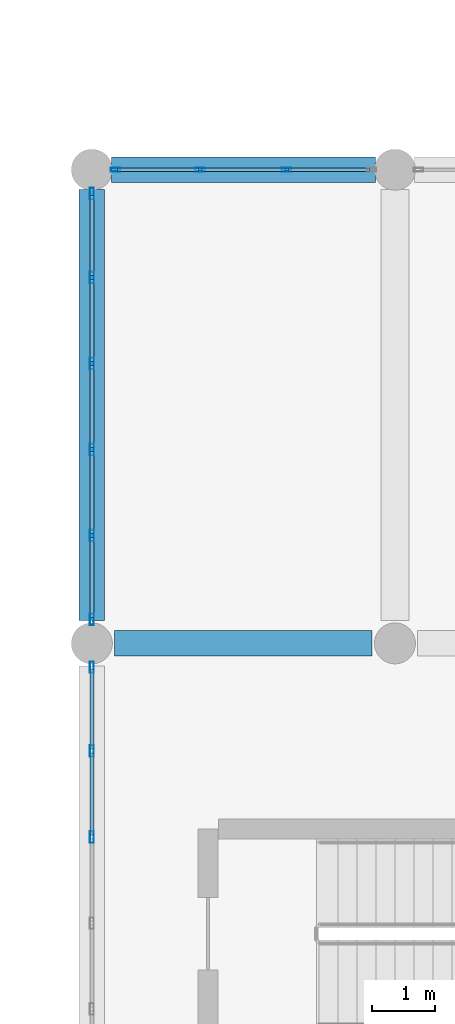
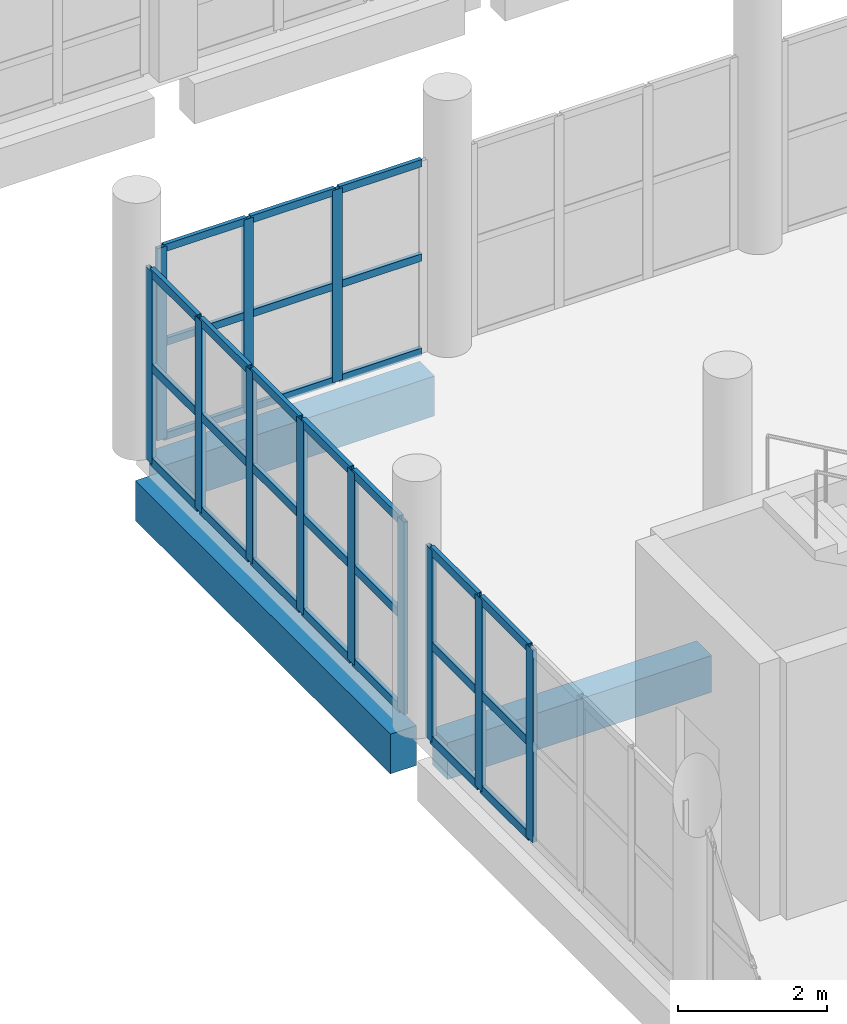
# One storey, part 72 of 164: 42 members, 3 beams, 3 elements without a shape of their own.
"""IFC4 building model written with IfcOpenShell, lengths in metres."""

from ifc_helpers import new_model, si_unit, direction, frame, origin, origin_2d, place, context, subcontext, project, spatial, rectangle, hollow_rectangle, extrude, material, layer, layer_set, material_profile, profile_set, type_object, element, aggregate, save


model = new_model("IFC4")

# Units and contexts
model_context = context("Model", 3, precision=1e-05, world=origin(), true_north=direction((0.0, 1.0)))
body_context = subcontext(model_context, "Body", "Model", "MODEL_VIEW")
ifc_project = project(units=[si_unit("LENGTHUNIT", "METRE"), si_unit("AREAUNIT", "SQUARE_METRE"), si_unit("VOLUMEUNIT", "CUBIC_METRE"), si_unit("PLANEANGLEUNIT", "RADIAN"), si_unit("MASSUNIT", "GRAM", prefix="KILO")], contexts=[model_context])

# Site, building, storey
site_placement = place(None, origin())
site = spatial("IfcSite", under=ifc_project, at=site_placement, CompositionType="ELEMENT")
building_placement = place(site_placement, origin())
building = spatial("IfcBuilding", under=site, at=building_placement, Name="Mawjan Specialist Oncology Clinic", CompositionType="ELEMENT")
storey_placement = place(building_placement, frame((0.0, 0.0, 5.0)))
storey = spatial("IfcBuildingStorey", under=building, at=storey_placement, Name="L01", CompositionType="ELEMENT", Elevation=5.0)

# Beam
ifc_material_1 = material(Name="Concrete C40/50", Category="concrete")
ifc_material_profile_1 = material_profile(ifc_material_1, rectangle(XDim=0.39990234375, YDim=0.60009765625, at=origin_2d()), Name="RC BM 400x600", Category="concrete")
ifc_profile_set_1 = profile_set([ifc_material_profile_1], Name="Concrete C40/50")
beam_type_1 = type_object("IfcBeamType", Name="BM-400x600", PredefinedType="BEAM", material=ifc_profile_set_1)
beam_1_placement = place(storey_placement, frame((60.360107421875, 68.300048828125, -0.60009765625), z_axis=(1.0, 0.0, 0.0), x_axis=(0.0, 1.0, 0.0)))
element("IfcBeam", 1, at=beam_1_placement, inside=storey, type_object=beam_type_1, Name="L01 Collector Beam BM-L01-0309", PredefinedType="BEAM", context=body_context, shape_type="SweptSolid", body=[
    extrude(rectangle(XDim=0.39990234375, YDim=0.60009765625, at=origin_2d()), origin(), (0.0, 0.0, 1.0), 4.079833984375),
])

# Curtain wall, members
ifc_material_2 = material(Name="Unitised spectrally selective aluminium curtain wall", Category="aluminium")
ifc_layer_1 = layer(ifc_material_2, 0.179931640625, Name="Unitised spectrally selective aluminium curtain wall", Category="aluminium")
ifc_layer_set_1 = layer_set([ifc_layer_1], Name="Unitised spectrally selective aluminium curtain wall")
curtain_wall_type_1 = type_object("IfcCurtainWallType", Name="CW-56", PredefinedType="NOTDEFINED", material=ifc_layer_set_1)
curtain_wall_1_placement = place(storey_placement, origin())
curtain_wall_1 = element("IfcCurtainWall", 2, at=curtain_wall_1_placement, inside=storey, type_object=curtain_wall_type_1, Name="L01 Unitised Curtain Wall CW-L01-103", PredefinedType="NOTDEFINED")
ifc_material_3 = material(Name="Thermally broken aluminium 6063-T6", Category="aluminium")
ifc_material_profile_2 = material_profile(ifc_material_3, hollow_rectangle(XDim=0.06005859375, YDim=0.14990234375, WallThickness=0.00390625, at=origin_2d()), Name="ALU MULLION 150x60x4", Category="aluminium")
ifc_profile_set_2 = profile_set([ifc_material_profile_2], Name="Thermally broken aluminium 6063-T6")
member_type_1 = type_object("IfcMemberType", Name="CW-M150", PredefinedType="MULLION", material=ifc_profile_set_2)
member_1_placement = place(storey_placement, frame((60.375, 75.800048828125, 0.0), z_axis=(0.0, 0.0, 1.0), x_axis=(0.0, 1.0, 0.0)))
member_1 = element("IfcMember", 3, at=member_1_placement, type_object=member_type_1, Name="CW-56 mullion 1", PredefinedType="MULLION", context=body_context, shape_type="SweptSolid", body=[
    extrude(hollow_rectangle(XDim=0.06005859375, YDim=0.14990234375, WallThickness=0.00390625, at=origin_2d()), origin(), (0.0, 0.0, 1.0), 3.139892578125),
])
member_2_placement = place(storey_placement, frame((61.715087890625, 75.800048828125, 0.0), z_axis=(0.0, 0.0, 1.0), x_axis=(0.0, 1.0, 0.0)))
member_2 = element("IfcMember", 4, at=member_2_placement, type_object=member_type_1, Name="CW-56 mullion 2", PredefinedType="MULLION", context=body_context, shape_type="SweptSolid", body=[
    extrude(hollow_rectangle(XDim=0.06005859375, YDim=0.14990234375, WallThickness=0.00390625, at=origin_2d()), origin(), (0.0, 0.0, 1.0), 3.139892578125),
])
member_3_placement = place(storey_placement, frame((63.0849609375, 75.800048828125, 0.0), z_axis=(0.0, 0.0, 1.0), x_axis=(0.0, 1.0, 0.0)))
member_3 = element("IfcMember", 5, at=member_3_placement, type_object=member_type_1, Name="CW-56 mullion 3", PredefinedType="MULLION", context=body_context, shape_type="SweptSolid", body=[
    extrude(hollow_rectangle(XDim=0.06005859375, YDim=0.14990234375, WallThickness=0.00390625, at=origin_2d()), origin(), (0.0, 0.0, 1.0), 3.139892578125),
])

ifc_material_4 = material(Name="Unitised spectrally selective aluminium curtain wall", Category="aluminium")
ifc_layer_2 = layer(ifc_material_4, 0.179931640625, Name="Unitised spectrally selective aluminium curtain wall", Category="aluminium")
ifc_layer_set_2 = layer_set([ifc_layer_2], Name="Unitised spectrally selective aluminium curtain wall")
curtain_wall_type_2 = type_object("IfcCurtainWallType", Name="CW-55", PredefinedType="NOTDEFINED", material=ifc_layer_set_2)
curtain_wall_2_placement = place(storey_placement, origin())
curtain_wall_2 = element("IfcCurtainWall", 6, at=curtain_wall_2_placement, inside=storey, type_object=curtain_wall_type_2, Name="L01 Unitised Curtain Wall CW-L01-101", PredefinedType="NOTDEFINED")
ifc_material_5 = material(Name="Thermally broken aluminium 6063-T6", Category="aluminium")
ifc_material_profile_3 = material_profile(ifc_material_5, hollow_rectangle(XDim=0.06494140625, YDim=0.179931640625, WallThickness=0.00390625, at=origin_2d()), Name="ALU MULLION 180x65x4", Category="aluminium")
ifc_profile_set_3 = profile_set([ifc_material_profile_3], Name="Thermally broken aluminium 6063-T6")
member_type_2 = type_object("IfcMemberType", Name="CW-M180", PredefinedType="MULLION", material=ifc_profile_set_3)
member_4_placement = place(storey_placement, frame((60.0, 65.23095703125, 0.0), z_axis=(0.0, 0.0, 1.0), x_axis=(-1.0, 0.0, 0.0)))
member_4 = element("IfcMember", 7, at=member_4_placement, type_object=member_type_2, Name="CW-55 mullion 4", PredefinedType="MULLION", context=body_context, shape_type="SweptSolid", body=[
    extrude(hollow_rectangle(XDim=0.06494140625, YDim=0.179931640625, WallThickness=0.00390625, at=origin_2d()), origin(), (0.0, 0.0, 1.0), 3.139892578125),
])
member_5_placement = place(storey_placement, frame((60.0, 66.593017578125, 0.0), z_axis=(0.0, 0.0, 1.0), x_axis=(-1.0, 0.0, 0.0)))
member_5 = element("IfcMember", 8, at=member_5_placement, type_object=member_type_2, Name="CW-55 mullion 5", PredefinedType="MULLION", context=body_context, shape_type="SweptSolid", body=[
    extrude(hollow_rectangle(XDim=0.06494140625, YDim=0.179931640625, WallThickness=0.00390625, at=origin_2d()), origin(), (0.0, 0.0, 1.0), 3.139892578125),
])
member_6_placement = place(storey_placement, frame((60.0, 67.922607421875, 0.0), z_axis=(0.0, 0.0, 1.0), x_axis=(-1.0, 0.0, 0.0)))
member_6 = element("IfcMember", 9, at=member_6_placement, type_object=member_type_2, Name="CW-55 mullion 6", PredefinedType="MULLION", context=body_context, shape_type="SweptSolid", body=[
    extrude(hollow_rectangle(XDim=0.06494140625, YDim=0.179931640625, WallThickness=0.00390625, at=origin_2d()), origin(), (0.0, 0.0, 1.0), 3.139892578125),
])

curtain_wall_3_placement = place(storey_placement, origin())
curtain_wall_3 = element("IfcCurtainWall", 10, at=curtain_wall_3_placement, inside=storey, type_object=curtain_wall_type_2, Name="L01 Unitised Curtain Wall CW-L01-102", PredefinedType="NOTDEFINED")
member_7_placement = place(storey_placement, frame((60.0, 68.677490234375, 0.0), z_axis=(0.0, 0.0, 1.0), x_axis=(-1.0, 0.0, 0.0)))
member_7 = element("IfcMember", 11, at=member_7_placement, type_object=member_type_2, Name="CW-55 mullion 1", PredefinedType="MULLION", context=body_context, shape_type="SweptSolid", body=[
    extrude(hollow_rectangle(XDim=0.06494140625, YDim=0.179931640625, WallThickness=0.00390625, at=origin_2d()), origin(), (0.0, 0.0, 1.0), 3.139892578125),
])
member_8_placement = place(storey_placement, frame((60.0, 70.007080078125, 0.0), z_axis=(0.0, 0.0, 1.0), x_axis=(-1.0, 0.0, 0.0)))
member_8 = element("IfcMember", 12, at=member_8_placement, type_object=member_type_2, Name="CW-55 mullion 2", PredefinedType="MULLION", context=body_context, shape_type="SweptSolid", body=[
    extrude(hollow_rectangle(XDim=0.06494140625, YDim=0.179931640625, WallThickness=0.00390625, at=origin_2d()), origin(), (0.0, 0.0, 1.0), 3.139892578125),
])
member_9_placement = place(storey_placement, frame((60.0, 71.368896484375, 0.0), z_axis=(0.0, 0.0, 1.0), x_axis=(-1.0, 0.0, 0.0)))
member_9 = element("IfcMember", 13, at=member_9_placement, type_object=member_type_2, Name="CW-55 mullion 3", PredefinedType="MULLION", context=body_context, shape_type="SweptSolid", body=[
    extrude(hollow_rectangle(XDim=0.06494140625, YDim=0.179931640625, WallThickness=0.00390625, at=origin_2d()), origin(), (0.0, 0.0, 1.0), 3.139892578125),
])
member_10_placement = place(storey_placement, frame((60.0, 72.73095703125, 0.0), z_axis=(0.0, 0.0, 1.0), x_axis=(-1.0, 0.0, 0.0)))
member_10 = element("IfcMember", 14, at=member_10_placement, type_object=member_type_2, Name="CW-55 mullion 4", PredefinedType="MULLION", context=body_context, shape_type="SweptSolid", body=[
    extrude(hollow_rectangle(XDim=0.06494140625, YDim=0.179931640625, WallThickness=0.00390625, at=origin_2d()), origin(), (0.0, 0.0, 1.0), 3.139892578125),
])
member_11_placement = place(storey_placement, frame((60.0, 74.093017578125, 0.0), z_axis=(0.0, 0.0, 1.0), x_axis=(-1.0, 0.0, 0.0)))
member_11 = element("IfcMember", 15, at=member_11_placement, type_object=member_type_2, Name="CW-55 mullion 5", PredefinedType="MULLION", context=body_context, shape_type="SweptSolid", body=[
    extrude(hollow_rectangle(XDim=0.06494140625, YDim=0.179931640625, WallThickness=0.00390625, at=origin_2d()), origin(), (0.0, 0.0, 1.0), 3.139892578125),
])
member_12_placement = place(storey_placement, frame((60.0, 75.422607421875, 0.0), z_axis=(0.0, 0.0, 1.0), x_axis=(-1.0, 0.0, 0.0)))
member_12 = element("IfcMember", 16, at=member_12_placement, type_object=member_type_2, Name="CW-55 mullion 6", PredefinedType="MULLION", context=body_context, shape_type="SweptSolid", body=[
    extrude(hollow_rectangle(XDim=0.06494140625, YDim=0.179931640625, WallThickness=0.00390625, at=origin_2d()), origin(), (0.0, 0.0, 1.0), 3.139892578125),
])

# Member
ifc_material_6 = material(Name="Thermally broken aluminium 6063-T6", Category="aluminium")
ifc_material_profile_4 = material_profile(ifc_material_6, hollow_rectangle(XDim=0.06005859375, YDim=0.1201171875, WallThickness=0.00390625, at=origin_2d()), Name="ALU TRANSOM 120x60x4", Category="aluminium")
ifc_profile_set_4 = profile_set([ifc_material_profile_4], Name="Thermally broken aluminium 6063-T6")
member_type_3 = type_object("IfcMemberType", Name="CW-T120", PredefinedType="USERDEFINED", material=ifc_profile_set_4)
member_13_placement = place(storey_placement, frame((60.405029296875, 75.800048828125, 0.030029296875), z_axis=(1.0, 0.0, 0.0), x_axis=(0.0, 1.0, 0.0)))
member_13 = element("IfcMember", 17, at=member_13_placement, type_object=member_type_3, Name="CW-56 transom 1.1", ObjectType="TRANSOM", PredefinedType="USERDEFINED", context=body_context, shape_type="SweptSolid", body=[
    extrude(hollow_rectangle(XDim=0.06005859375, YDim=0.1201171875, WallThickness=0.00390625, at=origin_2d()), origin(), (0.0, 0.0, 1.0), 1.280029296875),
])

member_14_placement = place(storey_placement, frame((60.405029296875, 75.800048828125, 1.570068359375), z_axis=(1.0, 0.0, 0.0), x_axis=(0.0, 1.0, 0.0)))
member_14 = element("IfcMember", 18, at=member_14_placement, type_object=member_type_3, Name="CW-56 transom 1.2", ObjectType="TRANSOM", PredefinedType="USERDEFINED", context=body_context, shape_type="SweptSolid", body=[
    extrude(hollow_rectangle(XDim=0.06005859375, YDim=0.1201171875, WallThickness=0.00390625, at=origin_2d()), origin(), (0.0, 0.0, 1.0), 1.280029296875),
])

member_15_placement = place(storey_placement, frame((60.405029296875, 75.800048828125, 3.110107421875), z_axis=(1.0, 0.0, 0.0), x_axis=(0.0, 1.0, 0.0)))
member_15 = element("IfcMember", 19, at=member_15_placement, type_object=member_type_3, Name="CW-56 transom 1.3", ObjectType="TRANSOM", PredefinedType="USERDEFINED", context=body_context, shape_type="SweptSolid", body=[
    extrude(hollow_rectangle(XDim=0.06005859375, YDim=0.1201171875, WallThickness=0.00390625, at=origin_2d()), origin(), (0.0, 0.0, 1.0), 1.280029296875),
])

member_16_placement = place(storey_placement, frame((61.7451171875, 75.800048828125, 0.030029296875), z_axis=(1.0, 0.0, 0.0), x_axis=(0.0, 1.0, 0.0)))
member_16 = element("IfcMember", 20, at=member_16_placement, type_object=member_type_3, Name="CW-56 transom 2.1", ObjectType="TRANSOM", PredefinedType="USERDEFINED", context=body_context, shape_type="SweptSolid", body=[
    extrude(hollow_rectangle(XDim=0.06005859375, YDim=0.1201171875, WallThickness=0.00390625, at=origin_2d()), origin(), (0.0, 0.0, 1.0), 1.309814453125),
])

member_17_placement = place(storey_placement, frame((61.7451171875, 75.800048828125, 1.570068359375), z_axis=(1.0, 0.0, 0.0), x_axis=(0.0, 1.0, 0.0)))
member_17 = element("IfcMember", 21, at=member_17_placement, type_object=member_type_3, Name="CW-56 transom 2.2", ObjectType="TRANSOM", PredefinedType="USERDEFINED", context=body_context, shape_type="SweptSolid", body=[
    extrude(hollow_rectangle(XDim=0.06005859375, YDim=0.1201171875, WallThickness=0.00390625, at=origin_2d()), origin(), (0.0, 0.0, 1.0), 1.309814453125),
])

member_18_placement = place(storey_placement, frame((61.7451171875, 75.800048828125, 3.110107421875), z_axis=(1.0, 0.0, 0.0), x_axis=(0.0, 1.0, 0.0)))
member_18 = element("IfcMember", 22, at=member_18_placement, type_object=member_type_3, Name="CW-56 transom 2.3", ObjectType="TRANSOM", PredefinedType="USERDEFINED", context=body_context, shape_type="SweptSolid", body=[
    extrude(hollow_rectangle(XDim=0.06005859375, YDim=0.1201171875, WallThickness=0.00390625, at=origin_2d()), origin(), (0.0, 0.0, 1.0), 1.309814453125),
])

member_19_placement = place(storey_placement, frame((63.114990234375, 75.800048828125, 0.030029296875), z_axis=(1.0, 0.0, 0.0), x_axis=(0.0, 1.0, 0.0)))
member_19 = element("IfcMember", 23, at=member_19_placement, type_object=member_type_3, Name="CW-56 transom 3.1", ObjectType="TRANSOM", PredefinedType="USERDEFINED", context=body_context, shape_type="SweptSolid", body=[
    extrude(hollow_rectangle(XDim=0.06005859375, YDim=0.1201171875, WallThickness=0.00390625, at=origin_2d()), origin(), (0.0, 0.0, 1.0), 1.280029296875),
])

member_20_placement = place(storey_placement, frame((63.114990234375, 75.800048828125, 1.570068359375), z_axis=(1.0, 0.0, 0.0), x_axis=(0.0, 1.0, 0.0)))
member_20 = element("IfcMember", 24, at=member_20_placement, type_object=member_type_3, Name="CW-56 transom 3.2", ObjectType="TRANSOM", PredefinedType="USERDEFINED", context=body_context, shape_type="SweptSolid", body=[
    extrude(hollow_rectangle(XDim=0.06005859375, YDim=0.1201171875, WallThickness=0.00390625, at=origin_2d()), origin(), (0.0, 0.0, 1.0), 1.280029296875),
])

member_21_placement = place(storey_placement, frame((63.114990234375, 75.800048828125, 3.110107421875), z_axis=(1.0, 0.0, 0.0), x_axis=(0.0, 1.0, 0.0)))
member_21 = element("IfcMember", 25, at=member_21_placement, type_object=member_type_3, Name="CW-56 transom 3.3", ObjectType="TRANSOM", PredefinedType="USERDEFINED", context=body_context, shape_type="SweptSolid", body=[
    extrude(hollow_rectangle(XDim=0.06005859375, YDim=0.1201171875, WallThickness=0.00390625, at=origin_2d()), origin(), (0.0, 0.0, 1.0), 1.280029296875),
])

aggregate(curtain_wall_1, [member_1, member_2, member_3, member_13, member_14, member_15, member_16, member_17, member_18, member_19, member_20, member_21])

ifc_material_7 = material(Name="Thermally broken aluminium 6063-T6", Category="aluminium")
ifc_material_profile_5 = material_profile(ifc_material_7, hollow_rectangle(XDim=0.06494140625, YDim=0.139892578125, WallThickness=0.00390625, at=origin_2d()), Name="ALU TRANSOM 140x65x4", Category="aluminium")
ifc_profile_set_5 = profile_set([ifc_material_profile_5], Name="Thermally broken aluminium 6063-T6")
member_type_4 = type_object("IfcMemberType", Name="CW-T140", PredefinedType="USERDEFINED", material=ifc_profile_set_5)
member_22_placement = place(storey_placement, frame((60.0, 65.263427734375, 0.032470703125), z_axis=(0.0, 1.0, 0.0), x_axis=(-1.0, 0.0, 0.0)))
member_22 = element("IfcMember", 26, at=member_22_placement, type_object=member_type_4, Name="CW-55 transom 4.1", ObjectType="TRANSOM", PredefinedType="USERDEFINED", context=body_context, shape_type="SweptSolid", body=[
    extrude(hollow_rectangle(XDim=0.06494140625, YDim=0.139892578125, WallThickness=0.00390625, at=origin_2d()), origin(), (0.0, 0.0, 1.0), 1.297119140625),
])

member_23_placement = place(storey_placement, frame((60.0, 65.263427734375, 1.570068359375), z_axis=(0.0, 1.0, 0.0), x_axis=(-1.0, 0.0, 0.0)))
member_23 = element("IfcMember", 27, at=member_23_placement, type_object=member_type_4, Name="CW-55 transom 4.2", ObjectType="TRANSOM", PredefinedType="USERDEFINED", context=body_context, shape_type="SweptSolid", body=[
    extrude(hollow_rectangle(XDim=0.06494140625, YDim=0.139892578125, WallThickness=0.00390625, at=origin_2d()), origin(), (0.0, 0.0, 1.0), 1.297119140625),
])

member_24_placement = place(storey_placement, frame((60.0, 65.263427734375, 3.107421875), z_axis=(0.0, 1.0, 0.0), x_axis=(-1.0, 0.0, 0.0)))
member_24 = element("IfcMember", 28, at=member_24_placement, type_object=member_type_4, Name="CW-55 transom 4.3", ObjectType="TRANSOM", PredefinedType="USERDEFINED", context=body_context, shape_type="SweptSolid", body=[
    extrude(hollow_rectangle(XDim=0.06494140625, YDim=0.139892578125, WallThickness=0.00390625, at=origin_2d()), origin(), (0.0, 0.0, 1.0), 1.297119140625),
])

member_25_placement = place(storey_placement, frame((60.0, 66.62548828125, 0.032470703125), z_axis=(0.0, 1.0, 0.0), x_axis=(-1.0, 0.0, 0.0)))
member_25 = element("IfcMember", 29, at=member_25_placement, type_object=member_type_4, Name="CW-55 transom 5.1", ObjectType="TRANSOM", PredefinedType="USERDEFINED", context=body_context, shape_type="SweptSolid", body=[
    extrude(hollow_rectangle(XDim=0.06494140625, YDim=0.139892578125, WallThickness=0.00390625, at=origin_2d()), origin(), (0.0, 0.0, 1.0), 1.264404296875),
])

member_26_placement = place(storey_placement, frame((60.0, 66.62548828125, 1.570068359375), z_axis=(0.0, 1.0, 0.0), x_axis=(-1.0, 0.0, 0.0)))
member_26 = element("IfcMember", 30, at=member_26_placement, type_object=member_type_4, Name="CW-55 transom 5.2", ObjectType="TRANSOM", PredefinedType="USERDEFINED", context=body_context, shape_type="SweptSolid", body=[
    extrude(hollow_rectangle(XDim=0.06494140625, YDim=0.139892578125, WallThickness=0.00390625, at=origin_2d()), origin(), (0.0, 0.0, 1.0), 1.264404296875),
])

member_27_placement = place(storey_placement, frame((60.0, 66.62548828125, 3.107421875), z_axis=(0.0, 1.0, 0.0), x_axis=(-1.0, 0.0, 0.0)))
member_27 = element("IfcMember", 31, at=member_27_placement, type_object=member_type_4, Name="CW-55 transom 5.3", ObjectType="TRANSOM", PredefinedType="USERDEFINED", context=body_context, shape_type="SweptSolid", body=[
    extrude(hollow_rectangle(XDim=0.06494140625, YDim=0.139892578125, WallThickness=0.00390625, at=origin_2d()), origin(), (0.0, 0.0, 1.0), 1.264404296875),
])

aggregate(curtain_wall_2, [member_4, member_5, member_6, member_22, member_23, member_24, member_25, member_26, member_27])

member_28_placement = place(storey_placement, frame((60.0, 68.7099609375, 0.032470703125), z_axis=(0.0, 1.0, 0.0), x_axis=(-1.0, 0.0, 0.0)))
member_28 = element("IfcMember", 32, at=member_28_placement, type_object=member_type_4, Name="CW-55 transom 1.1", ObjectType="TRANSOM", PredefinedType="USERDEFINED", context=body_context, shape_type="SweptSolid", body=[
    extrude(hollow_rectangle(XDim=0.06494140625, YDim=0.139892578125, WallThickness=0.00390625, at=origin_2d()), origin(), (0.0, 0.0, 1.0), 1.2646484375),
])

member_29_placement = place(storey_placement, frame((60.0, 68.7099609375, 1.570068359375), z_axis=(0.0, 1.0, 0.0), x_axis=(-1.0, 0.0, 0.0)))
member_29 = element("IfcMember", 33, at=member_29_placement, type_object=member_type_4, Name="CW-55 transom 1.2", ObjectType="TRANSOM", PredefinedType="USERDEFINED", context=body_context, shape_type="SweptSolid", body=[
    extrude(hollow_rectangle(XDim=0.06494140625, YDim=0.139892578125, WallThickness=0.00390625, at=origin_2d()), origin(), (0.0, 0.0, 1.0), 1.2646484375),
])

member_30_placement = place(storey_placement, frame((60.0, 68.7099609375, 3.107421875), z_axis=(0.0, 1.0, 0.0), x_axis=(-1.0, 0.0, 0.0)))
member_30 = element("IfcMember", 34, at=member_30_placement, type_object=member_type_4, Name="CW-55 transom 1.3", ObjectType="TRANSOM", PredefinedType="USERDEFINED", context=body_context, shape_type="SweptSolid", body=[
    extrude(hollow_rectangle(XDim=0.06494140625, YDim=0.139892578125, WallThickness=0.00390625, at=origin_2d()), origin(), (0.0, 0.0, 1.0), 1.2646484375),
])

member_31_placement = place(storey_placement, frame((60.0, 70.03955078125, 0.032470703125), z_axis=(0.0, 1.0, 0.0), x_axis=(-1.0, 0.0, 0.0)))
member_31 = element("IfcMember", 35, at=member_31_placement, type_object=member_type_4, Name="CW-55 transom 2.1", ObjectType="TRANSOM", PredefinedType="USERDEFINED", context=body_context, shape_type="SweptSolid", body=[
    extrude(hollow_rectangle(XDim=0.06494140625, YDim=0.139892578125, WallThickness=0.00390625, at=origin_2d()), origin(), (0.0, 0.0, 1.0), 1.296875),
])

member_32_placement = place(storey_placement, frame((60.0, 70.03955078125, 1.570068359375), z_axis=(0.0, 1.0, 0.0), x_axis=(-1.0, 0.0, 0.0)))
member_32 = element("IfcMember", 36, at=member_32_placement, type_object=member_type_4, Name="CW-55 transom 2.2", ObjectType="TRANSOM", PredefinedType="USERDEFINED", context=body_context, shape_type="SweptSolid", body=[
    extrude(hollow_rectangle(XDim=0.06494140625, YDim=0.139892578125, WallThickness=0.00390625, at=origin_2d()), origin(), (0.0, 0.0, 1.0), 1.296875),
])

member_33_placement = place(storey_placement, frame((60.0, 70.03955078125, 3.107421875), z_axis=(0.0, 1.0, 0.0), x_axis=(-1.0, 0.0, 0.0)))
member_33 = element("IfcMember", 37, at=member_33_placement, type_object=member_type_4, Name="CW-55 transom 2.3", ObjectType="TRANSOM", PredefinedType="USERDEFINED", context=body_context, shape_type="SweptSolid", body=[
    extrude(hollow_rectangle(XDim=0.06494140625, YDim=0.139892578125, WallThickness=0.00390625, at=origin_2d()), origin(), (0.0, 0.0, 1.0), 1.296875),
])

member_34_placement = place(storey_placement, frame((60.0, 71.401611328125, 0.032470703125), z_axis=(0.0, 1.0, 0.0), x_axis=(-1.0, 0.0, 0.0)))
member_34 = element("IfcMember", 38, at=member_34_placement, type_object=member_type_4, Name="CW-55 transom 3.1", ObjectType="TRANSOM", PredefinedType="USERDEFINED", context=body_context, shape_type="SweptSolid", body=[
    extrude(hollow_rectangle(XDim=0.06494140625, YDim=0.139892578125, WallThickness=0.00390625, at=origin_2d()), origin(), (0.0, 0.0, 1.0), 1.296875),
])

member_35_placement = place(storey_placement, frame((60.0, 71.401611328125, 1.570068359375), z_axis=(0.0, 1.0, 0.0), x_axis=(-1.0, 0.0, 0.0)))
member_35 = element("IfcMember", 39, at=member_35_placement, type_object=member_type_4, Name="CW-55 transom 3.2", ObjectType="TRANSOM", PredefinedType="USERDEFINED", context=body_context, shape_type="SweptSolid", body=[
    extrude(hollow_rectangle(XDim=0.06494140625, YDim=0.139892578125, WallThickness=0.00390625, at=origin_2d()), origin(), (0.0, 0.0, 1.0), 1.296875),
])

member_36_placement = place(storey_placement, frame((60.0, 71.401611328125, 3.107421875), z_axis=(0.0, 1.0, 0.0), x_axis=(-1.0, 0.0, 0.0)))
member_36 = element("IfcMember", 40, at=member_36_placement, type_object=member_type_4, Name="CW-55 transom 3.3", ObjectType="TRANSOM", PredefinedType="USERDEFINED", context=body_context, shape_type="SweptSolid", body=[
    extrude(hollow_rectangle(XDim=0.06494140625, YDim=0.139892578125, WallThickness=0.00390625, at=origin_2d()), origin(), (0.0, 0.0, 1.0), 1.296875),
])

member_37_placement = place(storey_placement, frame((60.0, 72.763427734375, 0.032470703125), z_axis=(0.0, 1.0, 0.0), x_axis=(-1.0, 0.0, 0.0)))
member_37 = element("IfcMember", 41, at=member_37_placement, type_object=member_type_4, Name="CW-55 transom 4.1", ObjectType="TRANSOM", PredefinedType="USERDEFINED", context=body_context, shape_type="SweptSolid", body=[
    extrude(hollow_rectangle(XDim=0.06494140625, YDim=0.139892578125, WallThickness=0.00390625, at=origin_2d()), origin(), (0.0, 0.0, 1.0), 1.297119140625),
])

member_38_placement = place(storey_placement, frame((60.0, 72.763427734375, 1.570068359375), z_axis=(0.0, 1.0, 0.0), x_axis=(-1.0, 0.0, 0.0)))
member_38 = element("IfcMember", 42, at=member_38_placement, type_object=member_type_4, Name="CW-55 transom 4.2", ObjectType="TRANSOM", PredefinedType="USERDEFINED", context=body_context, shape_type="SweptSolid", body=[
    extrude(hollow_rectangle(XDim=0.06494140625, YDim=0.139892578125, WallThickness=0.00390625, at=origin_2d()), origin(), (0.0, 0.0, 1.0), 1.297119140625),
])

member_39_placement = place(storey_placement, frame((60.0, 72.763427734375, 3.107421875), z_axis=(0.0, 1.0, 0.0), x_axis=(-1.0, 0.0, 0.0)))
member_39 = element("IfcMember", 43, at=member_39_placement, type_object=member_type_4, Name="CW-55 transom 4.3", ObjectType="TRANSOM", PredefinedType="USERDEFINED", context=body_context, shape_type="SweptSolid", body=[
    extrude(hollow_rectangle(XDim=0.06494140625, YDim=0.139892578125, WallThickness=0.00390625, at=origin_2d()), origin(), (0.0, 0.0, 1.0), 1.297119140625),
])

member_40_placement = place(storey_placement, frame((60.0, 74.12548828125, 0.032470703125), z_axis=(0.0, 1.0, 0.0), x_axis=(-1.0, 0.0, 0.0)))
member_40 = element("IfcMember", 44, at=member_40_placement, type_object=member_type_4, Name="CW-55 transom 5.1", ObjectType="TRANSOM", PredefinedType="USERDEFINED", context=body_context, shape_type="SweptSolid", body=[
    extrude(hollow_rectangle(XDim=0.06494140625, YDim=0.139892578125, WallThickness=0.00390625, at=origin_2d()), origin(), (0.0, 0.0, 1.0), 1.264404296875),
])

member_41_placement = place(storey_placement, frame((60.0, 74.12548828125, 1.570068359375), z_axis=(0.0, 1.0, 0.0), x_axis=(-1.0, 0.0, 0.0)))
member_41 = element("IfcMember", 45, at=member_41_placement, type_object=member_type_4, Name="CW-55 transom 5.2", ObjectType="TRANSOM", PredefinedType="USERDEFINED", context=body_context, shape_type="SweptSolid", body=[
    extrude(hollow_rectangle(XDim=0.06494140625, YDim=0.139892578125, WallThickness=0.00390625, at=origin_2d()), origin(), (0.0, 0.0, 1.0), 1.264404296875),
])

member_42_placement = place(storey_placement, frame((60.0, 74.12548828125, 3.107421875), z_axis=(0.0, 1.0, 0.0), x_axis=(-1.0, 0.0, 0.0)))
member_42 = element("IfcMember", 46, at=member_42_placement, type_object=member_type_4, Name="CW-55 transom 5.3", ObjectType="TRANSOM", PredefinedType="USERDEFINED", context=body_context, shape_type="SweptSolid", body=[
    extrude(hollow_rectangle(XDim=0.06494140625, YDim=0.139892578125, WallThickness=0.00390625, at=origin_2d()), origin(), (0.0, 0.0, 1.0), 1.264404296875),
])

aggregate(curtain_wall_3, [member_7, member_8, member_9, member_10, member_11, member_12, member_28, member_29, member_30, member_31, member_32, member_33, member_34, member_35, member_36, member_37, member_38, member_39, member_40, member_41, member_42])

# Beams
ifc_material_8 = material(Name="Concrete C45/55", Category="concrete")
ifc_material_profile_6 = material_profile(ifc_material_8, rectangle(XDim=0.39990234375, YDim=0.64990234375, at=origin_2d()), Name="RC BM 400x650", Category="concrete")
ifc_profile_set_6 = profile_set([ifc_material_profile_6], Name="Concrete C45/55")
beam_type_2 = type_object("IfcBeamType", Name="SP-400x650", PredefinedType="SPANDREL", material=ifc_profile_set_6)
beam_2_placement = place(storey_placement, frame((60.31005859375, 75.800048828125, -0.625), z_axis=(1.0, 0.0, 0.0), x_axis=(0.0, 1.0, 0.0)))
element("IfcBeam", 47, at=beam_2_placement, inside=storey, type_object=beam_type_2, Name="L01 Spandrel Beam BM-L01-0325", PredefinedType="SPANDREL", context=body_context, shape_type="SweptSolid", body=[
    extrude(rectangle(XDim=0.39990234375, YDim=0.64990234375, at=origin_2d()), origin(), (0.0, 0.0, 1.0), 4.179931640625),
])
beam_3_placement = place(storey_placement, frame((60.0, 68.659912109375, -0.625), z_axis=(0.0, 1.0, 0.0), x_axis=(-1.0, 0.0, 0.0)))
element("IfcBeam", 48, at=beam_3_placement, inside=storey, type_object=beam_type_2, Name="L01 Spandrel Beam BM-L01-0491", PredefinedType="SPANDREL", context=body_context, shape_type="SweptSolid", body=[
    extrude(rectangle(XDim=0.39990234375, YDim=0.64990234375, at=origin_2d()), origin(), (0.0, 0.0, 1.0), 6.830078125),
])

save(model, "model.ifc")
